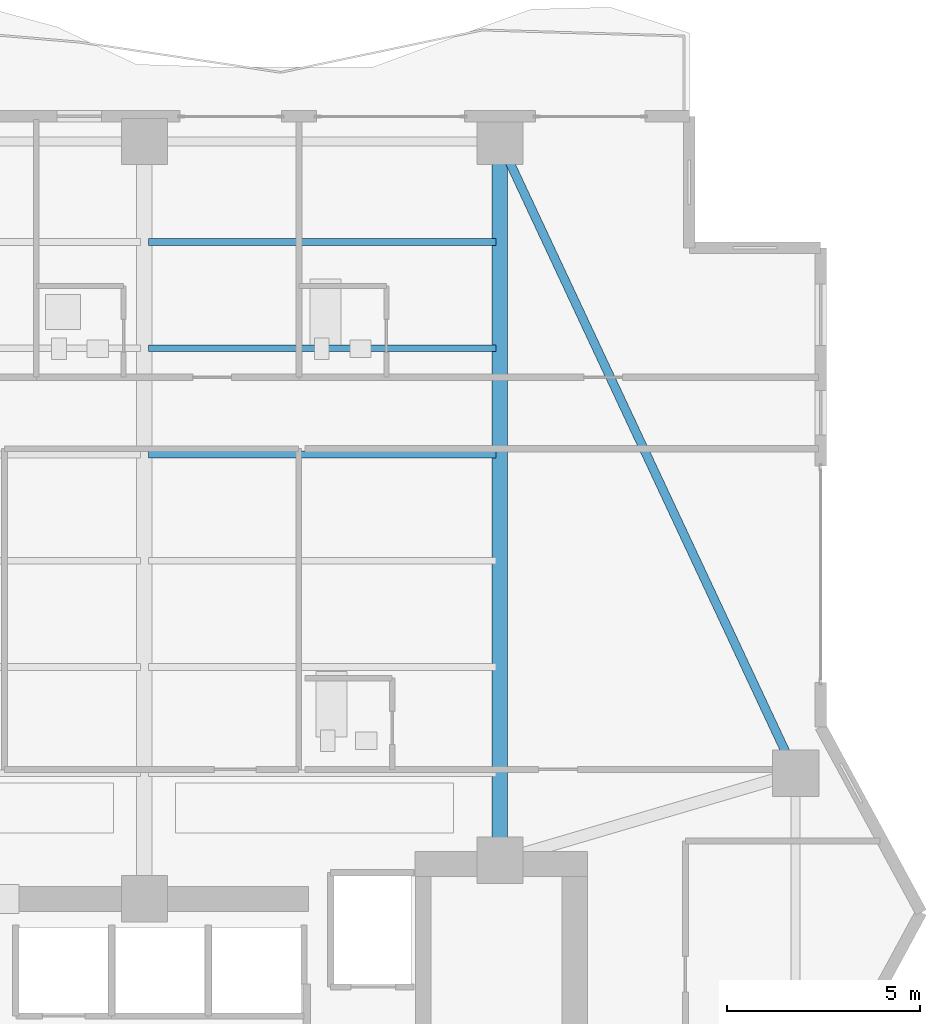
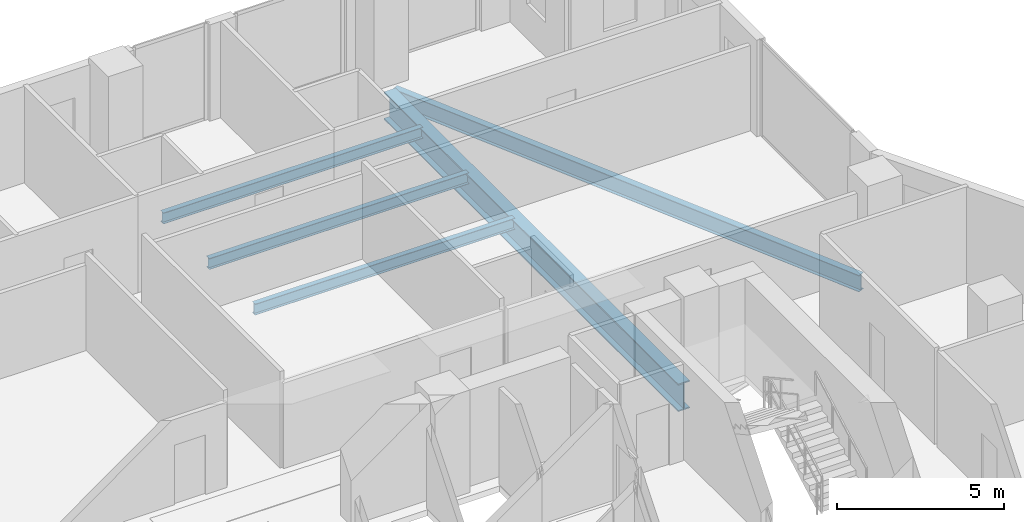
# One storey, part 20 of 32: 5 beams.
"""IFC4 building model written with IfcOpenShell, lengths in metres."""

import ifcopenshell
import ifcopenshell.guid

model = None  # the IFC model being written
_history = None  # IfcOwnerHistory: only IFC2X3 demands one
_inside = {}  # id of a spatial element -> (the spatial element, [elements in it])
_under = {}  # id of a project, library or spatial element -> (it, [spatial elements below it])
_declared = {}  # id of a project -> (the project, [libraries it declares])
_typed = {}  # id of a type object -> (the type object, [elements of that type])
_made_of = {}  # id of a material, layer set ... -> (it, [elements and type objects made of it])


def new_model(schema):
    """Start an empty IFC model of exactly this schema.

    Asked for "IFC4X3", IfcOpenShell would pick the latest addendum, in which some entities
    have other attributes; the version numbers below select the first issue.
    IFC2X3 requires an IfcOwnerHistory on every rooted entity: one is made here for all.
    """
    global model, _history
    if schema == "IFC4X3":
        model = ifcopenshell.file(schema_version=(4, 3, 0, 0))
    else:
        model = ifcopenshell.file(schema=schema)
    _inside.clear()
    _under.clear()
    _declared.clear()
    _typed.clear()
    _made_of.clear()
    _history = None
    if model.schema == "IFC2X3":
        org = make("IfcOrganization", Name="unknown")
        user = make(
            "IfcPersonAndOrganization",
            ThePerson=make("IfcPerson", FamilyName="unknown"),
            TheOrganization=org,
        )
        app = make(
            "IfcApplication",
            ApplicationDeveloper=org,
            Version="unknown",
            ApplicationFullName="unknown",
            ApplicationIdentifier="unknown",
        )
        _history = make(
            "IfcOwnerHistory",
            OwningUser=user,
            OwningApplication=app,
            ChangeAction="ADDED",
            CreationDate=0,
        )
    return model


def make(cls, **values):
    """One entity of the class cls with the attributes given. An attribute that is None is left unset."""
    return model.create_entity(
        cls, **{name: value for name, value in values.items() if value is not None}
    )


def rooted(cls, **values):
    """An entity with a GlobalId (a new one), such as an element, a storey or a relation."""
    return make(cls, GlobalId=ifcopenshell.guid.new(), OwnerHistory=_history, **values)


def si_unit(unit_type, name, prefix=None):
    """IfcSIUnit, for example si_unit("LENGTHUNIT", "METRE", prefix="MILLI")."""
    return make("IfcSIUnit", UnitType=unit_type, Prefix=prefix, Name=name)


def assignment(units):
    """IfcUnitAssignment: the units of a project."""
    return None if units is None else make("IfcUnitAssignment", Units=units)


def point(xyz):
    """IfcCartesianPoint."""
    return None if xyz is None else make("IfcCartesianPoint", Coordinates=xyz)


def direction(xyz):
    """IfcDirection."""
    return None if xyz is None else make("IfcDirection", DirectionRatios=xyz)


def frame(location, z_axis=None, x_axis=None):
    """IfcAxis2Placement3D, a coordinate frame: its origin and axes. An axis left out is left unset."""
    return make(
        "IfcAxis2Placement3D",
        Location=point(location),
        Axis=direction(z_axis),
        RefDirection=direction(x_axis),
    )


def frame_2d(location, x_axis=None):
    """IfcAxis2Placement2D, a coordinate frame in the plane: its origin and x axis."""
    return make(
        "IfcAxis2Placement2D", Location=point(location), RefDirection=direction(x_axis)
    )


def origin():
    """The frame at (0, 0, 0) with its axes left unset."""
    return frame((0.0, 0.0, 0.0))


def origin_2d():
    """The frame at (0, 0) in the plane with its x axis left unset."""
    return frame_2d((0.0, 0.0))


def place(relative_to, where):
    """IfcLocalPlacement: puts the frame where relative to a parent placement (None: the world)."""
    return make(
        "IfcLocalPlacement", PlacementRelTo=relative_to, RelativePlacement=where
    )


def context(
    kind, dimensions, precision=None, world=None, true_north=None, identifier=None
):
    """IfcGeometricRepresentationContext, for example the 3D "Model" context."""
    return make(
        "IfcGeometricRepresentationContext",
        ContextIdentifier=identifier,
        ContextType=kind,
        CoordinateSpaceDimension=dimensions,
        Precision=precision,
        WorldCoordinateSystem=world,
        TrueNorth=true_north,
    )


def subcontext(parent, identifier, kind, view, scale=None):
    """IfcGeometricRepresentationSubContext, for example "Body" below "Model"."""
    return make(
        "IfcGeometricRepresentationSubContext",
        ContextIdentifier=identifier,
        ContextType=kind,
        ParentContext=parent,
        TargetScale=scale,
        TargetView=view,
    )


def project(units=None, contexts=None):
    """IfcProject with its units and contexts."""
    return rooted(
        "IfcProject",
        Name="project",
        RepresentationContexts=contexts,
        UnitsInContext=assignment(units),
    )


def spatial(cls, under=None, at=None, **own):
    """A site, building, storey or space (cls), placed at a placement, below another one or the project."""
    s = rooted(cls, ObjectPlacement=at, **own)
    if under is not None:
        _under.setdefault(under.id(), (under, []))[1].append(s)
    return s


def profile(cls, at=None, kind="AREA", **sizes):
    """A parametric profile (cls). Its sizes go by their IFC names, for example OverallWidth=200.0."""
    return make(cls, ProfileType=kind, Position=at, **sizes)


def i_section(**sizes):
    """IfcIShapeProfileDef."""
    return profile("IfcIShapeProfileDef", **sizes)


def extrude(swept, where, along, depth):
    """IfcExtrudedAreaSolid: the profile swept, set in the frame where, extruded along a direction by depth."""
    return make(
        "IfcExtrudedAreaSolid",
        SweptArea=swept,
        Position=where,
        ExtrudedDirection=direction(along),
        Depth=depth,
    )


def shape(context_of_items, identifier, shape_type, items):
    """IfcShapeRepresentation: the items that make up one representation, for example the "Body"."""
    return make(
        "IfcShapeRepresentation",
        ContextOfItems=context_of_items,
        RepresentationIdentifier=identifier,
        RepresentationType=shape_type,
        Items=items,
    )


def material(Name=None, Category=None):
    """IfcMaterial."""
    return make("IfcMaterial", Name=Name, Category=Category)


def material_profile(
    of_material, cross_section, Name=None, Category=None, Priority=None
):
    """IfcMaterialProfile: a cross section and its material."""
    return make(
        "IfcMaterialProfile",
        Name=Name,
        Material=of_material,
        Profile=cross_section,
        Priority=Priority,
        Category=Category,
    )


def profile_set(profiles, Name=None, composite=None):
    """IfcMaterialProfileSet."""
    return make(
        "IfcMaterialProfileSet",
        Name=Name,
        MaterialProfiles=profiles,
        CompositeProfile=composite,
    )


def made_of(thing, what):
    """Note that an element or type object is made of a material, layer set ...; save() writes the relation."""
    if what is not None:
        _made_of.setdefault(what.id(), (what, []))[1].append(thing)
    return thing


def type_object(cls, material=None, **own):
    """A type object (cls), such as IfcWallType, which elements share."""
    return made_of(rooted(cls, **own), material)


def element(
    cls,
    number,
    at=None,
    inside=None,
    cuts=None,
    type_object=None,
    material=None,
    context=None,
    identifier="Body",
    shape_type=None,
    held_by="IfcProductDefinitionShape",
    body=None,
    shapes=None,
    **own,
):
    """One element of the class cls, such as IfcWall. Its Tag is "e" and its number.

    at: its placement. inside: the storey or other place that contains it. cuts: it is an
    opening in that element (IfcRelVoidsElement). A single representation is given by context,
    identifier, shape_type and body (its items); several are given by shapes. held_by: the class
    of the entity that holds the representations. save() writes the other relations.
    """
    e = rooted(cls, Tag="e%d" % number, ObjectPlacement=at, **own)
    if body is not None:
        shapes = [shape(context, identifier, shape_type, body)]
    if shapes is not None:
        e.Representation = make(held_by, Representations=shapes)
    if inside is not None:
        _inside.setdefault(inside.id(), (inside, []))[1].append(e)
    if cuts is not None:
        rooted(
            "IfcRelVoidsElement", RelatingBuildingElement=cuts, RelatedOpeningElement=e
        )
    if type_object is not None:
        _typed.setdefault(type_object.id(), (type_object, []))[1].append(e)
    return made_of(e, material)


def aggregate(whole, parts):
    """IfcRelAggregates: a whole, such as a stair, and the parts it consists of."""
    return rooted("IfcRelAggregates", RelatingObject=whole, RelatedObjects=parts)


def save(model, path):
    """Write the relations noted so far, then the file.

    IfcRelAggregates (storeys below a building ...), IfcRelContainedInSpatialStructure (elements
    in a storey), IfcRelDefinesByType, IfcRelAssociatesMaterial and IfcRelDeclares: one each for
    every whole, place, type object, material and project.
    """
    for whole, parts in _under.values():
        aggregate(whole, parts)
    for where, things in _inside.values():
        rooted(
            "IfcRelContainedInSpatialStructure",
            RelatedElements=things,
            RelatingStructure=where,
        )
    for kind, things in _typed.values():
        rooted("IfcRelDefinesByType", RelatedObjects=things, RelatingType=kind)
    for what, things in _made_of.values():
        rooted("IfcRelAssociatesMaterial", RelatedObjects=things, RelatingMaterial=what)
    for by, libraries in _declared.values():
        rooted("IfcRelDeclares", RelatingContext=by, RelatedDefinitions=libraries)
    model.write(path)


model = new_model("IFC4")

# Units and contexts
model_context = context("Model", 3, precision=1e-05, world=origin(), true_north=direction((0.0, 1.0)))
body_context = subcontext(model_context, "Body", "Model", "MODEL_VIEW")
ifc_project = project(units=[si_unit("LENGTHUNIT", "METRE"), si_unit("AREAUNIT", "SQUARE_METRE"), si_unit("VOLUMEUNIT", "CUBIC_METRE"), si_unit("PLANEANGLEUNIT", "RADIAN"), si_unit("MASSUNIT", "GRAM", prefix="KILO")], contexts=[model_context])

# Site, building, storey
site_placement = place(None, origin())
site = spatial("IfcSite", under=ifc_project, at=site_placement, CompositionType="ELEMENT")
building_placement = place(site_placement, origin())
building = spatial("IfcBuilding", under=site, at=building_placement, Name="Zuhayl Quay Hotel", CompositionType="ELEMENT")
storey_placement = place(building_placement, frame((0.0, 0.0, 177.39990234375)))
storey = spatial("IfcBuildingStorey", under=building, at=storey_placement, Name="L44", CompositionType="ELEMENT", Elevation=177.39990234375)

# Beams
ifc_material = material(Name="Steel ASTM A992 Grade 50", Category="steel")
ifc_material_profile_1 = material_profile(ifc_material, i_section(OverallWidth=0.22802734375, OverallDepth=0.60693359375, WebThickness=0.01123046875, FlangeThickness=0.017333984375, at=origin_2d()), Name="W24X76")
ifc_profile_set_1 = profile_set([ifc_material_profile_1], Name="Steel ASTM A992 Grade 50")
beam_type_1 = type_object("IfcBeamType", Name="BM_B3_W24X76", PredefinedType="BEAM", material=ifc_profile_set_1)
beam_1_placement = place(storey_placement, frame((21.238037109375, 17.052978515625, -0.5234375), z_axis=(-0.423792164429, 0.905759461098, 0.0), x_axis=(-0.905759461098, -0.423792164429, 0.0)))
element("IfcBeam", 1, at=beam_1_placement, inside=storey, type_object=beam_type_1, Name="L44 Floor Beam RG_L44_06", PredefinedType="BEAM", context=body_context, shape_type="SweptSolid", body=[
    extrude(i_section(OverallWidth=0.22802734375, OverallDepth=0.60693359375, WebThickness=0.01123046875, FlangeThickness=0.017333984375, at=origin_2d()), origin(), (0.0, 0.0, 1.0), 17.051025390625),
])
ifc_material_profile_2 = material_profile(ifc_material, i_section(OverallWidth=0.177978515625, OverallDepth=0.406005859375, WebThickness=0.0078125, FlangeThickness=0.0126953125, at=origin_2d()), Name="W16X40")
ifc_profile_set_2 = profile_set([ifc_material_profile_2], Name="Steel ASTM A992 Grade 50")
beam_type_2 = type_object("IfcBeamType", Name="BM_J2B_W16X40", PredefinedType="JOIST", material=ifc_profile_set_2)
for number, where, z_axis, x_axis, name in (
    (2, (4.7060546875, 24.85009765625, -0.4228515625), (1.0, 0.0, 0.0), (0.0, 1.0, 0.0), "L44 Floor Beam FJ_L44_4_3"),
    (3, (4.7060546875, 27.60009765625, -0.4228515625), (1.0, 0.0, 0.0), (0.0, 1.0, 0.0), "L44 Floor Beam FJ_L44_5_3"),
    (4, (4.7060546875, 30.35009765625, -0.4228515625), (1.0, 0.0, 0.0), (0.0, 1.0, 0.0), "L44 Floor Beam FJ_L44_6_3"),
):
    element("IfcBeam", number, at=place(storey_placement, frame(where, z_axis=z_axis, x_axis=x_axis)), inside=storey, type_object=beam_type_2, Name=name, PredefinedType="JOIST", context=body_context, shape_type="SweptSolid", body=[
        extrude(i_section(OverallWidth=0.177978515625, OverallDepth=0.406005859375, WebThickness=0.0078125, FlangeThickness=0.0126953125, at=origin_2d()), origin(), (0.0, 0.0, 1.0), 8.988037109375),
    ])
ifc_material_profile_3 = material_profile(ifc_material, i_section(OverallWidth=0.40087890625, OverallDepth=1.010986328125, WebThickness=0.023681640625, FlangeThickness=0.0419921875, at=origin_2d()), Name="W40X297")
ifc_profile_set_3 = profile_set([ifc_material_profile_3], Name="Steel ASTM A992 Grade 50")
beam_type_3 = type_object("IfcBeamType", Name="BM_TG2_W40X297", PredefinedType="BEAM", material=ifc_profile_set_3)
beam_2_placement = place(storey_placement, frame((13.800048828125, 14.800048828125, -0.725341796875), z_axis=(0.0, 1.0, 0.0), x_axis=(-1.0, 0.0, 0.0)))
element("IfcBeam", 5, at=beam_2_placement, inside=storey, type_object=beam_type_3, Name="L44 Floor Beam FG_N_L44_4", PredefinedType="BEAM", context=body_context, shape_type="SweptSolid", body=[
    extrude(i_section(OverallWidth=0.40087890625, OverallDepth=1.010986328125, WebThickness=0.023681640625, FlangeThickness=0.0419921875, at=origin_2d()), origin(), (0.0, 0.0, 1.0), 17.64990234375),
])

save(model, "model.ifc")
